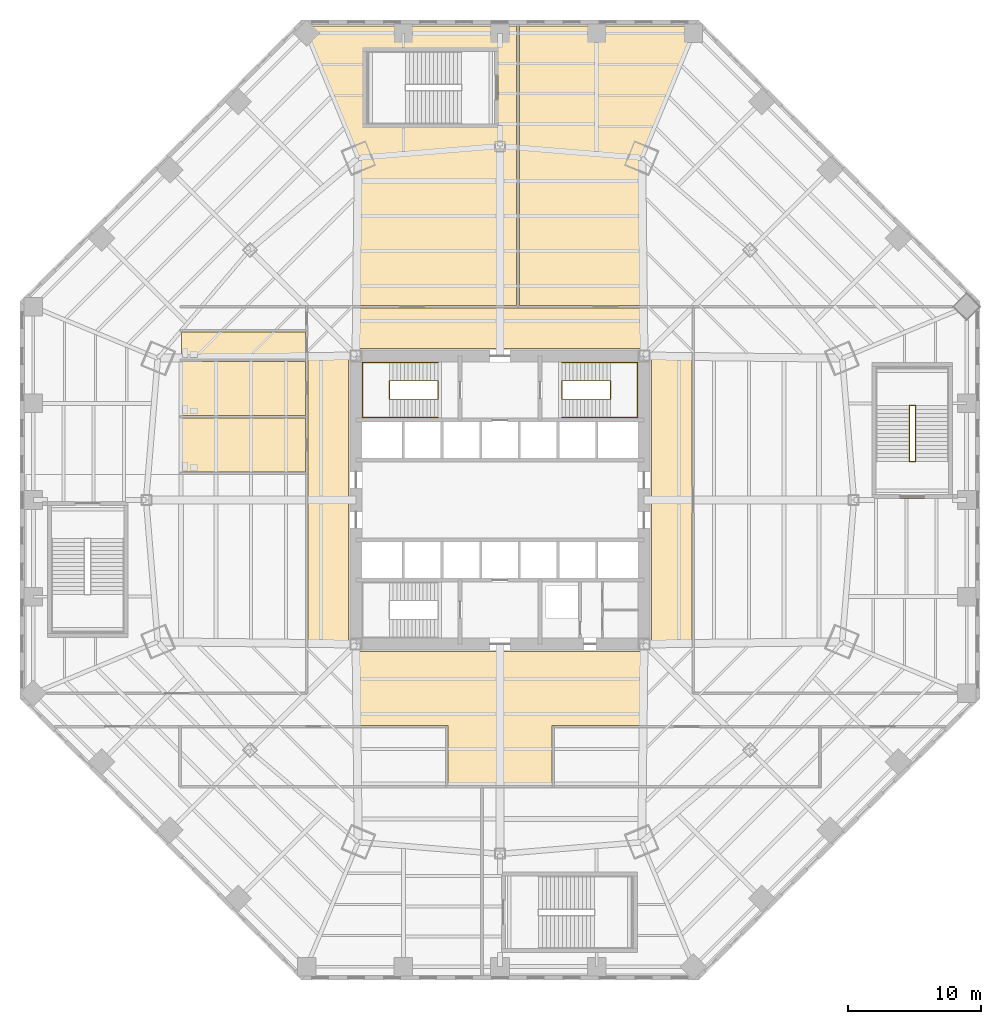
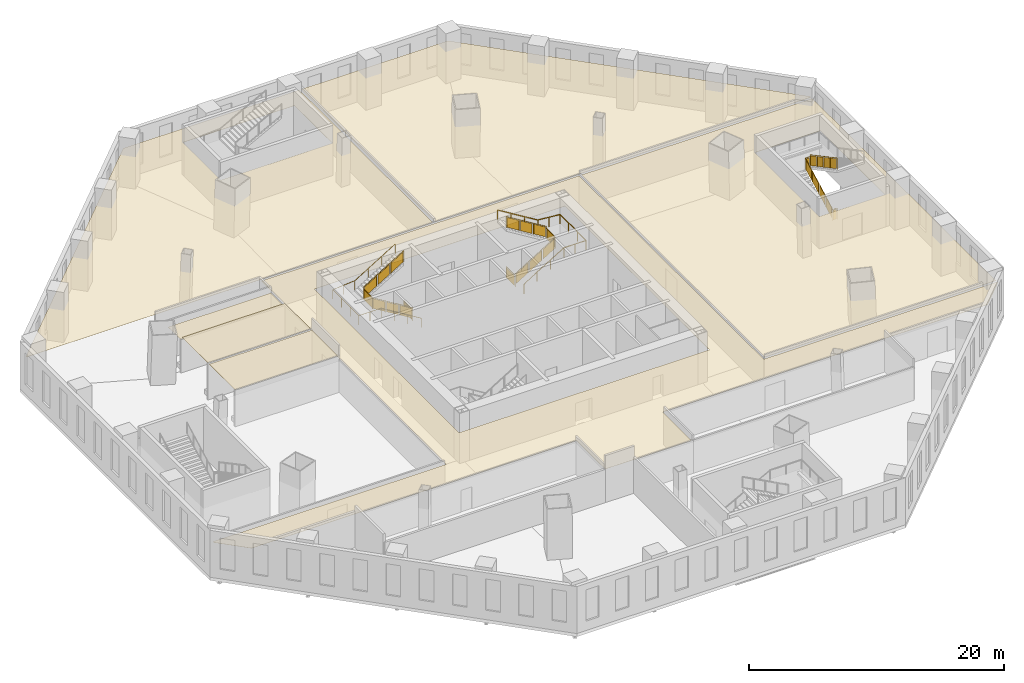
# One storey, part 17 of 19: 7 coverings, 5 railings.
"""IFC4 building model written with IfcOpenShell, lengths in metres."""

from ifc_helpers import new_model, si_unit, direction, frame, origin, origin_2d, place, context, subcontext, project, spatial, polyline, circle, outline, extrude, material, layer, layer_set, type_object, element, save


model = new_model("IFC4")

# Units and contexts
model_context = context("Model", 3, precision=1e-05, world=origin(), true_north=direction((0.0, 1.0)))
body_context = subcontext(model_context, "Body", "Model", "MODEL_VIEW")
ifc_project = project(units=[si_unit("LENGTHUNIT", "METRE"), si_unit("AREAUNIT", "SQUARE_METRE"), si_unit("VOLUMEUNIT", "CUBIC_METRE"), si_unit("PLANEANGLEUNIT", "RADIAN"), si_unit("MASSUNIT", "GRAM", prefix="KILO")], contexts=[model_context])

# Site, building, storey
site_placement = place(None, origin())
site = spatial("IfcSite", under=ifc_project, at=site_placement, CompositionType="ELEMENT")
building_placement = place(site_placement, origin())
building = spatial("IfcBuilding", under=site, at=building_placement, Name="Mashrafa Tower", CompositionType="ELEMENT")
storey_placement = place(building_placement, frame((0.0, 0.0, 24.0)))
storey = spatial("IfcBuildingStorey", under=building, at=storey_placement, Name="L04", CompositionType="ELEMENT", Elevation=24.0)

# Railings
ifc_material_1 = material(Name="Steel guard with glass infill", Category="steel")
railing_type_1 = type_object("IfcRailingType", Name="Stair guard 1100", PredefinedType="GUARDRAIL", material=ifc_material_1)
railing_1_placement = place(storey_placement, frame((-4.64990234375, 8.949951171875, 0.0)))
element("IfcRailing", 1, at=railing_1_placement, inside=storey, type_object=railing_type_1, Name="Stair S1 guard L04", PredefinedType="GUARDRAIL", context=body_context, shape_type="SweptSolid", body=[
    extrude(circle(Radius=0.02392578125, at=origin_2d()), frame((0.0, 0.0, 1.076171875), z_axis=(0.0, -1.0, 0.0), x_axis=(1.0, 0.0, 0.0)), (0.0, 0.0, 1.0), 1.39990234375),
    extrude(circle(Radius=0.02392578125, at=origin_2d()), frame((0.0, -1.39990234375, 1.076171875), z_axis=(0.0, 0.0, 1.0), x_axis=(1.0, 0.0, 0.0)), (0.0, 0.0, 1.0), 0.17138671875),
    extrude(circle(Radius=0.02392578125, at=origin_2d()), frame((0.0, -1.39990234375, 1.24755859375), z_axis=(-0.852865859571, 0.0, 0.52213008492), x_axis=(0.0, -1.0, 0.0)), (0.0, 0.0, 1.0), 4.26806640625),
    extrude(circle(Radius=0.02392578125, at=origin_2d()), frame((-3.64013671875, -1.39990234375, 3.47607421875), z_axis=(0.0, 1.0, 0.0), x_axis=(-1.0, 0.0, 0.0)), (0.0, 0.0, 1.0), 1.39990234375),
    extrude(circle(Radius=0.02392578125, at=origin_2d()), frame((-3.64013671875, 0.0, 3.47607421875), z_axis=(0.0, 0.0, 1.0), x_axis=(1.0, 0.0, 0.0)), (0.0, 0.0, 1.0), 0.17138671875),
    extrude(circle(Radius=0.02392578125, at=origin_2d()), frame((-3.64013671875, 0.0, 3.6474609375), z_axis=(0.852840387347, 0.0, 0.522171689878), x_axis=(0.0, 1.0, 0.0)), (0.0, 0.0, 1.0), 4.268310546875),
    extrude(circle(Radius=0.02099609375, at=origin_2d()), origin(), (0.0, 0.0, 1.0), 1.052001953125),
    extrude(circle(Radius=0.02099609375, at=origin_2d()), frame((0.0, -1.39990234375, 0.0)), (0.0, 0.0, 1.0), 1.052001953125),
    extrude(circle(Radius=0.02099609375, at=origin_2d()), frame((0.0, -1.39990234375, 0.17138671875)), (0.0, 0.0, 1.0), 1.052001953125),
    extrude(circle(Radius=0.02099609375, at=origin_2d()), frame((-1.21337890625, -1.39990234375, 0.914306640625)), (0.0, 0.0, 1.0), 1.052001953125),
    extrude(circle(Radius=0.02099609375, at=origin_2d()), frame((-2.4267578125, -1.39990234375, 1.656982421875)), (0.0, 0.0, 1.0), 1.052001953125),
    extrude(circle(Radius=0.02099609375, at=origin_2d()), frame((-3.64013671875, -1.39990234375, 2.39990234375)), (0.0, 0.0, 1.0), 1.052001953125),
    extrude(circle(Radius=0.02099609375, at=origin_2d()), frame((-3.64013671875, 0.0, 2.39990234375)), (0.0, 0.0, 1.0), 1.052001953125),
    extrude(circle(Radius=0.02099609375, at=origin_2d()), frame((-3.64013671875, 0.0, 2.5712890625)), (0.0, 0.0, 1.0), 1.052001953125),
    extrude(circle(Radius=0.02099609375, at=origin_2d()), frame((-2.4267578125, 0.0, 3.314208984375)), (0.0, 0.0, 1.0), 1.052001953125),
    extrude(circle(Radius=0.02099609375, at=origin_2d()), frame((-1.21337890625, 0.0, 4.05712890625)), (0.0, 0.0, 1.0), 1.052001953125),
    extrude(circle(Radius=0.02099609375, at=origin_2d()), frame((0.0, 0.0, 4.800048828125)), (0.0, 0.0, 1.0), 1.052001953125),
    extrude(outline(polyline([(0.071044921875, 0.050048828125), (1.328857421875, 0.050048828125), (1.328857421875, 1.001953125), (0.071044921875, 1.001953125), (0.071044921875, 0.050048828125)])), frame((-0.006103515625, 0.0, 0.0), z_axis=(-1.0, 0.0, 0.0), x_axis=(0.0, -1.0, 0.0)), (0.0, 0.0, 1.0), 0.011962890625),
    extrude(outline(polyline([(0.071044921875, 0.093505859375), (1.142333984375, 0.749267578125), (1.142333984375, 1.701416015625), (0.071044921875, 1.04541015625), (0.071044921875, 0.093505859375)])), frame((0.0, -1.393798828125, 0.17138671875), z_axis=(0.0, 1.0, 0.0), x_axis=(-1.0, 0.0, 0.0)), (0.0, 0.0, 1.0), 0.011962890625),
    extrude(outline(polyline([(1.284423828125, 0.836181640625), (2.355712890625, 1.4921875), (2.355712890625, 2.4443359375), (1.284423828125, 1.788330078125), (1.284423828125, 0.836181640625)])), frame((0.0, -1.393798828125, 0.17138671875), z_axis=(0.0, 1.0, 0.0), x_axis=(-1.0, 0.0, 0.0)), (0.0, 0.0, 1.0), 0.011962890625),
    extrude(outline(polyline([(2.497802734375, 1.5791015625), (3.569091796875, 2.235107421875), (3.569091796875, 3.18701171875), (2.497802734375, 2.53125), (2.497802734375, 1.5791015625)])), frame((0.0, -1.393798828125, 0.17138671875), z_axis=(0.0, 1.0, 0.0), x_axis=(-1.0, 0.0, 0.0)), (0.0, 0.0, 1.0), 0.011962890625),
    extrude(outline(polyline([(0.071044921875, 0.050048828125), (1.328857421875, 0.050048828125), (1.328857421875, 1.001953125), (0.071044921875, 1.001953125), (0.071044921875, 0.050048828125)])), frame((-3.634033203125, -1.39990234375, 2.39990234375), z_axis=(1.0, 0.0, 0.0), x_axis=(0.0, 1.0, 0.0)), (0.0, 0.0, 1.0), 0.011962890625),
    extrude(outline(polyline([(0.071044921875, 0.093505859375), (1.142333984375, 0.74951171875), (1.142333984375, 1.701416015625), (0.071044921875, 1.04541015625), (0.071044921875, 0.093505859375)])), frame((-3.64013671875, -0.006103515625, 2.5712890625), z_axis=(0.0, -1.0, 0.0), x_axis=(1.0, 0.0, 0.0)), (0.0, 0.0, 1.0), 0.011962890625),
    extrude(outline(polyline([(1.284423828125, 0.83642578125), (2.355712890625, 1.492431640625), (2.355712890625, 2.4443359375), (1.284423828125, 1.788330078125), (1.284423828125, 0.83642578125)])), frame((-3.64013671875, -0.006103515625, 2.5712890625), z_axis=(0.0, -1.0, 0.0), x_axis=(1.0, 0.0, 0.0)), (0.0, 0.0, 1.0), 0.011962890625),
    extrude(outline(polyline([(2.497802734375, 1.579345703125), (3.569091796875, 2.2353515625), (3.569091796875, 3.187255859375), (2.497802734375, 2.53125), (2.497802734375, 1.579345703125)])), frame((-3.64013671875, -0.006103515625, 2.5712890625), z_axis=(0.0, -1.0, 0.0), x_axis=(1.0, 0.0, 0.0)), (0.0, 0.0, 1.0), 0.011962890625),
])
railing_2_placement = place(storey_placement, frame((4.64990234375, 8.949951171875, 0.0)))
element("IfcRailing", 2, at=railing_2_placement, inside=storey, type_object=railing_type_1, Name="Stair S2 guard L04", PredefinedType="GUARDRAIL", context=body_context, shape_type="SweptSolid", body=[
    extrude(circle(Radius=0.02392578125, at=origin_2d()), frame((0.0, 0.0, 1.076171875), z_axis=(0.0, -1.0, 0.0), x_axis=(1.0, 0.0, 0.0)), (0.0, 0.0, 1.0), 1.39990234375),
    extrude(circle(Radius=0.02392578125, at=origin_2d()), frame((0.0, -1.39990234375, 1.076171875), z_axis=(0.0, 0.0, 1.0), x_axis=(1.0, 0.0, 0.0)), (0.0, 0.0, 1.0), 0.17138671875),
    extrude(circle(Radius=0.02392578125, at=origin_2d()), frame((0.0, -1.39990234375, 1.24755859375), z_axis=(0.852865859571, 0.0, 0.52213008492), x_axis=(0.0, 1.0, 0.0)), (0.0, 0.0, 1.0), 4.26806640625),
    extrude(circle(Radius=0.02392578125, at=origin_2d()), frame((3.64013671875, -1.39990234375, 3.47607421875), z_axis=(0.0, 1.0, 0.0), x_axis=(-1.0, 0.0, 0.0)), (0.0, 0.0, 1.0), 1.39990234375),
    extrude(circle(Radius=0.02392578125, at=origin_2d()), frame((3.64013671875, 0.0, 3.47607421875), z_axis=(0.0, 0.0, 1.0), x_axis=(1.0, 0.0, 0.0)), (0.0, 0.0, 1.0), 0.17138671875),
    extrude(circle(Radius=0.02392578125, at=origin_2d()), frame((3.64013671875, 0.0, 3.6474609375), z_axis=(-0.852840387347, 0.0, 0.522171689878), x_axis=(0.0, -1.0, 0.0)), (0.0, 0.0, 1.0), 4.268310546875),
    extrude(circle(Radius=0.02099609375, at=origin_2d()), origin(), (0.0, 0.0, 1.0), 1.052001953125),
    extrude(circle(Radius=0.02099609375, at=origin_2d()), frame((0.0, -1.39990234375, 0.0)), (0.0, 0.0, 1.0), 1.052001953125),
    extrude(circle(Radius=0.02099609375, at=origin_2d()), frame((0.0, -1.39990234375, 0.17138671875)), (0.0, 0.0, 1.0), 1.052001953125),
    extrude(circle(Radius=0.02099609375, at=origin_2d()), frame((1.21337890625, -1.39990234375, 0.914306640625)), (0.0, 0.0, 1.0), 1.052001953125),
    extrude(circle(Radius=0.02099609375, at=origin_2d()), frame((2.4267578125, -1.39990234375, 1.656982421875)), (0.0, 0.0, 1.0), 1.052001953125),
    extrude(circle(Radius=0.02099609375, at=origin_2d()), frame((3.64013671875, -1.39990234375, 2.39990234375)), (0.0, 0.0, 1.0), 1.052001953125),
    extrude(circle(Radius=0.02099609375, at=origin_2d()), frame((3.64013671875, 0.0, 2.39990234375)), (0.0, 0.0, 1.0), 1.052001953125),
    extrude(circle(Radius=0.02099609375, at=origin_2d()), frame((3.64013671875, 0.0, 2.5712890625)), (0.0, 0.0, 1.0), 1.052001953125),
    extrude(circle(Radius=0.02099609375, at=origin_2d()), frame((2.4267578125, 0.0, 3.314208984375)), (0.0, 0.0, 1.0), 1.052001953125),
    extrude(circle(Radius=0.02099609375, at=origin_2d()), frame((1.21337890625, 0.0, 4.05712890625)), (0.0, 0.0, 1.0), 1.052001953125),
    extrude(circle(Radius=0.02099609375, at=origin_2d()), frame((0.0, 0.0, 4.800048828125)), (0.0, 0.0, 1.0), 1.052001953125),
    extrude(outline(polyline([(0.071044921875, 0.050048828125), (1.328857421875, 0.050048828125), (1.328857421875, 1.001953125), (0.071044921875, 1.001953125), (0.071044921875, 0.050048828125)])), frame((-0.006103515625, 0.0, 0.0), z_axis=(-1.0, 0.0, 0.0), x_axis=(0.0, -1.0, 0.0)), (0.0, 0.0, 1.0), 0.011962890625),
    extrude(outline(polyline([(0.071044921875, 0.093505859375), (1.142333984375, 0.749267578125), (1.142333984375, 1.701416015625), (0.071044921875, 1.04541015625), (0.071044921875, 0.093505859375)])), frame((0.0, -1.406005859375, 0.17138671875), z_axis=(0.0, -1.0, 0.0), x_axis=(1.0, 0.0, 0.0)), (0.0, 0.0, 1.0), 0.011962890625),
    extrude(outline(polyline([(1.284423828125, 0.836181640625), (2.355712890625, 1.4921875), (2.355712890625, 2.4443359375), (1.284423828125, 1.788330078125), (1.284423828125, 0.836181640625)])), frame((0.0, -1.406005859375, 0.17138671875), z_axis=(0.0, -1.0, 0.0), x_axis=(1.0, 0.0, 0.0)), (0.0, 0.0, 1.0), 0.011962890625),
    extrude(outline(polyline([(2.497802734375, 1.5791015625), (3.569091796875, 2.235107421875), (3.569091796875, 3.18701171875), (2.497802734375, 2.53125), (2.497802734375, 1.5791015625)])), frame((0.0, -1.406005859375, 0.17138671875), z_axis=(0.0, -1.0, 0.0), x_axis=(1.0, 0.0, 0.0)), (0.0, 0.0, 1.0), 0.011962890625),
    extrude(outline(polyline([(0.071044921875, 0.050048828125), (1.328857421875, 0.050048828125), (1.328857421875, 1.001953125), (0.071044921875, 1.001953125), (0.071044921875, 0.050048828125)])), frame((3.646240234375, -1.39990234375, 2.39990234375), z_axis=(1.0, 0.0, 0.0), x_axis=(0.0, 1.0, 0.0)), (0.0, 0.0, 1.0), 0.011962890625),
    extrude(outline(polyline([(0.071044921875, 0.093505859375), (1.142333984375, 0.74951171875), (1.142333984375, 1.701416015625), (0.071044921875, 1.04541015625), (0.071044921875, 0.093505859375)])), frame((3.64013671875, 0.006103515625, 2.5712890625), z_axis=(0.0, 1.0, 0.0), x_axis=(-1.0, 0.0, 0.0)), (0.0, 0.0, 1.0), 0.011962890625),
    extrude(outline(polyline([(1.284423828125, 0.83642578125), (2.355712890625, 1.492431640625), (2.355712890625, 2.4443359375), (1.284423828125, 1.788330078125), (1.284423828125, 0.83642578125)])), frame((3.64013671875, 0.006103515625, 2.5712890625), z_axis=(0.0, 1.0, 0.0), x_axis=(-1.0, 0.0, 0.0)), (0.0, 0.0, 1.0), 0.011962890625),
    extrude(outline(polyline([(2.497802734375, 1.579345703125), (3.569091796875, 2.2353515625), (3.569091796875, 3.187255859375), (2.497802734375, 2.53125), (2.497802734375, 1.579345703125)])), frame((3.64013671875, 0.006103515625, 2.5712890625), z_axis=(0.0, 1.0, 0.0), x_axis=(-1.0, 0.0, 0.0)), (0.0, 0.0, 1.0), 0.011962890625),
])
railing_3_placement = place(storey_placement, frame((31.14990234375, 2.89990234375, 0.0)))
element("IfcRailing", 3, at=railing_3_placement, inside=storey, type_object=railing_type_1, Name="Stair P1 guard L04", PredefinedType="GUARDRAIL", context=body_context, shape_type="SweptSolid", body=[
    extrude(circle(Radius=0.02392578125, at=origin_2d()), frame((0.0, 0.0, 1.076171875), z_axis=(-1.0, 0.0, 0.0), x_axis=(0.0, -1.0, 0.0)), (0.0, 0.0, 1.0), 0.449951171875),
    extrude(circle(Radius=0.02392578125, at=origin_2d()), frame((-0.449951171875, 0.0, 1.076171875), z_axis=(0.0, 0.0, 1.0), x_axis=(1.0, 0.0, 0.0)), (0.0, 0.0, 1.0), 0.159912109375),
    extrude(circle(Radius=0.02392578125, at=origin_2d()), frame((-0.449951171875, 0.0, 1.23583984375), z_axis=(0.0, 0.882362879185, 0.470569601054), x_axis=(-1.0, 0.0, 0.0)), (0.0, 0.0, 1.0), 4.76025390625),
    extrude(circle(Radius=0.02392578125, at=origin_2d()), frame((-0.449951171875, 4.2001953125, 3.47607421875), z_axis=(1.0, 0.0, 0.0), x_axis=(0.0, 1.0, 0.0)), (0.0, 0.0, 1.0), 0.449951171875),
    extrude(circle(Radius=0.02392578125, at=origin_2d()), frame((0.0, 4.2001953125, 3.47607421875), z_axis=(0.0, 0.0, 1.0), x_axis=(1.0, 0.0, 0.0)), (0.0, 0.0, 1.0), 0.16015625),
    extrude(circle(Radius=0.02392578125, at=origin_2d()), frame((0.0, 4.2001953125, 3.63623046875), z_axis=(0.0, -0.882362879185, 0.470569601054), x_axis=(1.0, 0.0, 0.0)), (0.0, 0.0, 1.0), 4.76025390625),
    extrude(circle(Radius=0.02099609375, at=origin_2d()), origin(), (0.0, 0.0, 1.0), 1.052001953125),
    extrude(circle(Radius=0.02099609375, at=origin_2d()), frame((-0.449951171875, 0.0, 0.0)), (0.0, 0.0, 1.0), 1.052001953125),
    extrude(circle(Radius=0.02099609375, at=origin_2d()), frame((-0.449951171875, 0.0, 0.159912109375)), (0.0, 0.0, 1.0), 1.052001953125),
    extrude(circle(Radius=0.02099609375, at=origin_2d()), frame((-0.449951171875, 1.050048828125, 0.719970703125)), (0.0, 0.0, 1.0), 1.052001953125),
    extrude(circle(Radius=0.02099609375, at=origin_2d()), frame((-0.449951171875, 2.10009765625, 1.27978515625)), (0.0, 0.0, 1.0), 1.052001953125),
    extrude(circle(Radius=0.02099609375, at=origin_2d()), frame((-0.449951171875, 3.150146484375, 1.83984375)), (0.0, 0.0, 1.0), 1.052001953125),
    extrude(circle(Radius=0.02099609375, at=origin_2d()), frame((-0.449951171875, 4.2001953125, 2.39990234375)), (0.0, 0.0, 1.0), 1.052001953125),
    extrude(circle(Radius=0.02099609375, at=origin_2d()), frame((0.0, 4.2001953125, 2.39990234375)), (0.0, 0.0, 1.0), 1.052001953125),
    extrude(circle(Radius=0.02099609375, at=origin_2d()), frame((0.0, 4.2001953125, 2.56005859375)), (0.0, 0.0, 1.0), 1.052001953125),
    extrude(circle(Radius=0.02099609375, at=origin_2d()), frame((0.0, 3.150146484375, 3.1201171875)), (0.0, 0.0, 1.0), 1.052001953125),
    extrude(circle(Radius=0.02099609375, at=origin_2d()), frame((0.0, 2.10009765625, 3.68017578125)), (0.0, 0.0, 1.0), 1.052001953125),
    extrude(circle(Radius=0.02099609375, at=origin_2d()), frame((0.0, 1.050048828125, 4.239990234375)), (0.0, 0.0, 1.0), 1.052001953125),
    extrude(circle(Radius=0.02099609375, at=origin_2d()), frame((0.0, 0.0, 4.800048828125)), (0.0, 0.0, 1.0), 1.052001953125),
    extrude(outline(polyline([(0.071044921875, 0.050048828125), (0.37890625, 0.050048828125), (0.37890625, 1.001953125), (0.071044921875, 1.001953125), (0.071044921875, 0.050048828125)])), frame((0.0, 0.006103515625, 0.0), z_axis=(0.0, 1.0, 0.0), x_axis=(-1.0, 0.0, 0.0)), (0.0, 0.0, 1.0), 0.011962890625),
    extrude(outline(polyline([(0.071044921875, 0.087890625), (0.97900390625, 0.572021484375), (0.97900390625, 1.524169921875), (0.071044921875, 1.039794921875), (0.071044921875, 0.087890625)])), frame((-0.44384765625, 0.0, 0.159912109375), z_axis=(1.0, 0.0, 0.0), x_axis=(0.0, 1.0, 0.0)), (0.0, 0.0, 1.0), 0.011962890625),
    extrude(outline(polyline([(1.12109375, 0.64794921875), (2.029052734375, 1.132080078125), (2.029052734375, 2.084228515625), (1.12109375, 1.599853515625), (1.12109375, 0.64794921875)])), frame((-0.44384765625, 0.0, 0.159912109375), z_axis=(1.0, 0.0, 0.0), x_axis=(0.0, 1.0, 0.0)), (0.0, 0.0, 1.0), 0.011962890625),
    extrude(outline(polyline([(2.171142578125, 1.207763671875), (3.0791015625, 1.692138671875), (3.0791015625, 2.64404296875), (2.171142578125, 2.159912109375), (2.171142578125, 1.207763671875)])), frame((-0.44384765625, 0.0, 0.159912109375), z_axis=(1.0, 0.0, 0.0), x_axis=(0.0, 1.0, 0.0)), (0.0, 0.0, 1.0), 0.011962890625),
    extrude(outline(polyline([(3.22119140625, 1.767822265625), (4.129150390625, 2.252197265625), (4.129150390625, 3.2041015625), (3.22119140625, 2.719970703125), (3.22119140625, 1.767822265625)])), frame((-0.44384765625, 0.0, 0.159912109375), z_axis=(1.0, 0.0, 0.0), x_axis=(0.0, 1.0, 0.0)), (0.0, 0.0, 1.0), 0.011962890625),
    extrude(outline(polyline([(0.071044921875, 0.050048828125), (0.37890625, 0.050048828125), (0.37890625, 1.001953125), (0.071044921875, 1.001953125), (0.071044921875, 0.050048828125)])), frame((-0.449951171875, 4.194091796875, 2.39990234375), z_axis=(0.0, -1.0, 0.0), x_axis=(1.0, 0.0, 0.0)), (0.0, 0.0, 1.0), 0.011962890625),
    extrude(outline(polyline([(0.071044921875, 0.087890625), (0.97900390625, 0.572021484375), (0.97900390625, 1.524169921875), (0.071044921875, 1.039794921875), (0.071044921875, 0.087890625)])), frame((-0.006103515625, 4.2001953125, 2.56005859375), z_axis=(-1.0, 0.0, 0.0), x_axis=(0.0, -1.0, 0.0)), (0.0, 0.0, 1.0), 0.011962890625),
    extrude(outline(polyline([(1.12109375, 0.64794921875), (2.029052734375, 1.132080078125), (2.029052734375, 2.084228515625), (1.12109375, 1.599853515625), (1.12109375, 0.64794921875)])), frame((-0.006103515625, 4.2001953125, 2.56005859375), z_axis=(-1.0, 0.0, 0.0), x_axis=(0.0, -1.0, 0.0)), (0.0, 0.0, 1.0), 0.011962890625),
    extrude(outline(polyline([(2.171142578125, 1.207763671875), (3.0791015625, 1.692138671875), (3.0791015625, 2.64404296875), (2.171142578125, 2.159912109375), (2.171142578125, 1.207763671875)])), frame((-0.006103515625, 4.2001953125, 2.56005859375), z_axis=(-1.0, 0.0, 0.0), x_axis=(0.0, -1.0, 0.0)), (0.0, 0.0, 1.0), 0.011962890625),
    extrude(outline(polyline([(3.22119140625, 1.767822265625), (4.129150390625, 2.252197265625), (4.129150390625, 3.2041015625), (3.22119140625, 2.719970703125), (3.22119140625, 1.767822265625)])), frame((-0.006103515625, 4.2001953125, 2.56005859375), z_axis=(-1.0, 0.0, 0.0), x_axis=(0.0, -1.0, 0.0)), (0.0, 0.0, 1.0), 0.011962890625),
])
ifc_material_2 = material(Name="Steel", Category="steel")
railing_type_2 = type_object("IfcRailingType", Name="Stair handrail 900", PredefinedType="HANDRAIL", material=ifc_material_2)
railing_4_placement = place(storey_placement, frame((-4.64990234375, 6.199951171875, 0.17138671875)))
element("IfcRailing", 4, at=railing_4_placement, inside=storey, type_object=railing_type_2, Name="Stair S1 handrail L04", PredefinedType="HANDRAIL", context=body_context, shape_type="SweptSolid", body=[
    extrude(circle(Radius=0.02392578125, at=origin_2d()), frame((0.0, 0.0, 0.8759765625), z_axis=(-0.852865859571, 0.0, 0.52213008492), x_axis=(0.0, -1.0, 0.0)), (0.0, 0.0, 1.0), 4.26806640625),
    extrude(circle(Radius=0.02392578125, at=origin_2d()), frame((-3.64013671875, 0.0, 3.1044921875), z_axis=(-1.0, 0.0, 0.0), x_axis=(0.0, -1.0, 0.0)), (0.0, 0.0, 1.0), 2.010009765625),
    extrude(circle(Radius=0.02392578125, at=origin_2d()), frame((-5.650146484375, 0.0, 3.1044921875), z_axis=(0.0, 1.0, 0.0), x_axis=(-1.0, 0.0, 0.0)), (0.0, 0.0, 1.0), 4.10009765625),
    extrude(circle(Radius=0.02392578125, at=origin_2d()), frame((-5.650146484375, 4.10009765625, 3.1044921875), z_axis=(0.996384505265, 0.0, 0.084958329005), x_axis=(0.0, 1.0, 0.0)), (0.0, 0.0, 1.0), 2.017333984375),
    extrude(circle(Radius=0.02392578125, at=origin_2d()), frame((-3.64013671875, 4.10009765625, 3.27587890625), z_axis=(0.852840387347, 0.0, 0.522171689878), x_axis=(0.0, 1.0, 0.0)), (0.0, 0.0, 1.0), 4.268310546875),
    extrude(circle(Radius=0.02099609375, at=origin_2d()), origin(), (0.0, 0.0, 1.0), 0.851806640625),
    extrude(circle(Radius=0.02099609375, at=origin_2d()), frame((-1.21337890625, 0.0, 0.742919921875)), (0.0, 0.0, 1.0), 0.851806640625),
    extrude(circle(Radius=0.02099609375, at=origin_2d()), frame((-2.4267578125, 0.0, 1.485595703125)), (0.0, 0.0, 1.0), 0.851806640625),
    extrude(circle(Radius=0.02099609375, at=origin_2d()), frame((-3.64013671875, 0.0, 2.228515625)), (0.0, 0.0, 1.0), 0.851806640625),
    extrude(circle(Radius=0.02099609375, at=origin_2d()), frame((-4.64501953125, 0.0, 2.228515625)), (0.0, 0.0, 1.0), 0.851806640625),
    extrude(circle(Radius=0.02099609375, at=origin_2d()), frame((-5.650146484375, 0.0, 2.228515625)), (0.0, 0.0, 1.0), 0.851806640625),
    extrude(circle(Radius=0.02099609375, at=origin_2d()), frame((-5.650146484375, 1.36669921875, 2.228515625)), (0.0, 0.0, 1.0), 0.851806640625),
    extrude(circle(Radius=0.02099609375, at=origin_2d()), frame((-5.650146484375, 2.7333984375, 2.228515625)), (0.0, 0.0, 1.0), 0.851806640625),
    extrude(circle(Radius=0.02099609375, at=origin_2d()), frame((-5.650146484375, 4.10009765625, 2.228515625)), (0.0, 0.0, 1.0), 0.851806640625),
    extrude(circle(Radius=0.02099609375, at=origin_2d()), frame((-4.64501953125, 4.10009765625, 2.314208984375)), (0.0, 0.0, 1.0), 0.851806640625),
    extrude(circle(Radius=0.02099609375, at=origin_2d()), frame((-3.64013671875, 4.10009765625, 2.39990234375)), (0.0, 0.0, 1.0), 0.851806640625),
    extrude(circle(Radius=0.02099609375, at=origin_2d()), frame((-2.4267578125, 4.10009765625, 3.142822265625)), (0.0, 0.0, 1.0), 0.851806640625),
    extrude(circle(Radius=0.02099609375, at=origin_2d()), frame((-1.21337890625, 4.10009765625, 3.8857421875)), (0.0, 0.0, 1.0), 0.851806640625),
    extrude(circle(Radius=0.02099609375, at=origin_2d()), frame((0.0, 4.10009765625, 4.628662109375)), (0.0, 0.0, 1.0), 0.851806640625),
])
railing_5_placement = place(storey_placement, frame((4.64990234375, 6.199951171875, 0.17138671875)))
element("IfcRailing", 5, at=railing_5_placement, inside=storey, type_object=railing_type_2, Name="Stair S2 handrail L04", PredefinedType="HANDRAIL", context=body_context, shape_type="SweptSolid", body=[
    extrude(circle(Radius=0.02392578125, at=origin_2d()), frame((0.0, 0.0, 0.8759765625), z_axis=(0.852865859571, 0.0, 0.52213008492), x_axis=(0.0, 1.0, 0.0)), (0.0, 0.0, 1.0), 4.26806640625),
    extrude(circle(Radius=0.02392578125, at=origin_2d()), frame((3.64013671875, 0.0, 3.1044921875), z_axis=(1.0, 0.0, 0.0), x_axis=(0.0, 1.0, 0.0)), (0.0, 0.0, 1.0), 2.010009765625),
    extrude(circle(Radius=0.02392578125, at=origin_2d()), frame((5.650146484375, 0.0, 3.1044921875), z_axis=(0.0, 1.0, 0.0), x_axis=(-1.0, 0.0, 0.0)), (0.0, 0.0, 1.0), 4.10009765625),
    extrude(circle(Radius=0.02392578125, at=origin_2d()), frame((5.650146484375, 4.10009765625, 3.1044921875), z_axis=(-0.996384505265, 0.0, 0.084958329005), x_axis=(0.0, -1.0, 0.0)), (0.0, 0.0, 1.0), 2.017333984375),
    extrude(circle(Radius=0.02392578125, at=origin_2d()), frame((3.64013671875, 4.10009765625, 3.27587890625), z_axis=(-0.852840387347, 0.0, 0.522171689878), x_axis=(0.0, -1.0, 0.0)), (0.0, 0.0, 1.0), 4.268310546875),
    extrude(circle(Radius=0.02099609375, at=origin_2d()), origin(), (0.0, 0.0, 1.0), 0.851806640625),
    extrude(circle(Radius=0.02099609375, at=origin_2d()), frame((1.21337890625, 0.0, 0.742919921875)), (0.0, 0.0, 1.0), 0.851806640625),
    extrude(circle(Radius=0.02099609375, at=origin_2d()), frame((2.4267578125, 0.0, 1.485595703125)), (0.0, 0.0, 1.0), 0.851806640625),
    extrude(circle(Radius=0.02099609375, at=origin_2d()), frame((3.64013671875, 0.0, 2.228515625)), (0.0, 0.0, 1.0), 0.851806640625),
    extrude(circle(Radius=0.02099609375, at=origin_2d()), frame((4.64501953125, 0.0, 2.228515625)), (0.0, 0.0, 1.0), 0.851806640625),
    extrude(circle(Radius=0.02099609375, at=origin_2d()), frame((5.650146484375, 0.0, 2.228515625)), (0.0, 0.0, 1.0), 0.851806640625),
    extrude(circle(Radius=0.02099609375, at=origin_2d()), frame((5.650146484375, 1.36669921875, 2.228515625)), (0.0, 0.0, 1.0), 0.851806640625),
    extrude(circle(Radius=0.02099609375, at=origin_2d()), frame((5.650146484375, 2.7333984375, 2.228515625)), (0.0, 0.0, 1.0), 0.851806640625),
    extrude(circle(Radius=0.02099609375, at=origin_2d()), frame((5.650146484375, 4.10009765625, 2.228515625)), (0.0, 0.0, 1.0), 0.851806640625),
    extrude(circle(Radius=0.02099609375, at=origin_2d()), frame((4.64501953125, 4.10009765625, 2.314208984375)), (0.0, 0.0, 1.0), 0.851806640625),
    extrude(circle(Radius=0.02099609375, at=origin_2d()), frame((3.64013671875, 4.10009765625, 2.39990234375)), (0.0, 0.0, 1.0), 0.851806640625),
    extrude(circle(Radius=0.02099609375, at=origin_2d()), frame((2.4267578125, 4.10009765625, 3.142822265625)), (0.0, 0.0, 1.0), 0.851806640625),
    extrude(circle(Radius=0.02099609375, at=origin_2d()), frame((1.21337890625, 4.10009765625, 3.8857421875)), (0.0, 0.0, 1.0), 0.851806640625),
    extrude(circle(Radius=0.02099609375, at=origin_2d()), frame((0.0, 4.10009765625, 4.628662109375)), (0.0, 0.0, 1.0), 0.851806640625),
])

# Coverings
ifc_material_3 = material(Name="Mineral fibre tile on suspension grid")
ifc_layer = layer(ifc_material_3, 0.014892578125)
ifc_layer_set = layer_set([ifc_layer], Name="Suspended ceiling mineral tile 15")
covering_type = type_object("IfcCoveringType", Name="Suspended ceiling mineral tile 15", PredefinedType="CEILING", material=ifc_layer_set)
covering_1_placement = place(storey_placement, frame((0.0, 0.0, 3.39990234375)))
element("IfcCovering", 6, at=covering_1_placement, inside=storey, type_object=covering_type, Name="Ceiling WC Female L04", PredefinedType="CEILING", context=body_context, shape_type="SweptSolid", body=[
    extrude(outline(polyline([(-23.89990234375, 2.10009765625), (-23.89990234375, 6.14990234375), (-14.60009765625, 6.14990234375), (-14.60009765625, 2.10009765625), (-23.89990234375, 2.10009765625)])), origin(), (0.0, 0.0, 1.0), 0.01513671875),
])
covering_2_placement = place(storey_placement, frame((0.0, 0.0, 3.39990234375)))
element("IfcCovering", 7, at=covering_2_placement, inside=storey, type_object=covering_type, Name="Ceiling WC Male L04", PredefinedType="CEILING", context=body_context, shape_type="SweptSolid", body=[
    extrude(outline(polyline([(-23.89990234375, 6.35009765625), (-23.89990234375, 10.39990234375), (-14.60009765625, 10.39990234375), (-14.60009765625, 6.35009765625), (-23.89990234375, 6.35009765625)])), origin(), (0.0, 0.0, 1.0), 0.01513671875),
])
covering_3_placement = place(storey_placement, frame((0.0, 0.0, 3.050048828125)))
element("IfcCovering", 8, at=covering_3_placement, inside=storey, type_object=covering_type, Name="Ceiling Accessible WC L04", PredefinedType="CEILING", context=body_context, shape_type="SweptSolid", body=[
    extrude(outline(polyline([(-23.89990234375, 10.60009765625), (-23.89990234375, 12.60009765625), (-14.60009765625, 12.60009765625), (-14.60009765625, 10.60009765625), (-23.89990234375, 10.60009765625)])), origin(), (0.0, 0.0, 1.0), 0.014892578125),
])
covering_4_placement = place(storey_placement, frame((0.0, 0.0, 3.050048828125)))
element("IfcCovering", 9, at=covering_4_placement, inside=storey, type_object=covering_type, Name="Ceiling Civic Office 401", PredefinedType="CEILING", context=body_context, shape_type="SweptSolid", body=[
    extrude(outline(polyline([(1.25, 35.550048828125), (1.25, 14.60009765625), (-35.550048828125, 14.60009765625), (-35.550048828125, 14.725341796875), (-14.725341796875, 35.550048828125), (1.25, 35.550048828125)]), holes=[polyline([(-10.25, 33.89990234375), (-10.25, 27.949951171875), (-0.14990234375, 27.949951171875), (-0.14990234375, 33.89990234375), (-10.25, 33.89990234375)])]), origin(), (0.0, 0.0, 1.0), 0.014892578125),
])
covering_5_placement = place(storey_placement, frame((0.0, 0.0, 3.050048828125)))
element("IfcCovering", 10, at=covering_5_placement, inside=storey, type_object=covering_type, Name="Ceiling Civic Office 402", PredefinedType="CEILING", context=body_context, shape_type="SweptSolid", body=[
    extrude(outline(polyline([(1.449951171875, 14.60009765625), (1.449951171875, 35.550048828125), (14.725341796875, 35.550048828125), (35.550048828125, 14.725341796875), (35.550048828125, 14.60009765625), (1.449951171875, 14.60009765625)])), origin(), (0.0, 0.0, 1.0), 0.014892578125),
])
covering_6_placement = place(storey_placement, frame((0.0, 0.0, 3.050048828125)))
element("IfcCovering", 11, at=covering_6_placement, inside=storey, type_object=covering_type, Name="Ceiling Civic Office 403", PredefinedType="CEILING", context=body_context, shape_type="SweptSolid", body=[
    extrude(outline(polyline([(14.60009765625, -14.39990234375), (14.60009765625, 14.39990234375), (35.550048828125, 14.39990234375), (35.550048828125, -14.39990234375), (14.60009765625, -14.39990234375)]), holes=[polyline([(33.89990234375, 10.25), (27.949951171875, 10.25), (27.949951171875, 0.14990234375), (33.89990234375, 0.14990234375), (33.89990234375, 10.25)])]), origin(), (0.0, 0.0, 1.0), 0.014892578125),
])
covering_7_placement = place(storey_placement, frame((0.0, 0.0, 3.050048828125)))
element("IfcCovering", 12, at=covering_7_placement, inside=storey, type_object=covering_type, Name="Ceiling Civic Office Corridor L04", PredefinedType="CEILING", context=body_context, shape_type="SweptSolid", body=[
    extrude(outline(polyline([(-3.89990234375, -21.39990234375), (-3.89990234375, -16.89990234375), (-33.375244140625, -16.89990234375), (-35.550048828125, -14.725341796875), (-35.550048828125, -14.60009765625), (-14.39990234375, -14.60009765625), (-14.39990234375, 14.39990234375), (14.39990234375, 14.39990234375), (14.39990234375, -14.60009765625), (35.550048828125, -14.60009765625), (35.550048828125, -14.725341796875), (33.375244140625, -16.89990234375), (3.89990234375, -16.89990234375), (3.89990234375, -21.39990234375), (-3.89990234375, -21.39990234375)]), holes=[polyline([(-11.35009765625, -11.35009765625), (11.35009765625, -11.35009765625), (11.35009765625, 11.35009765625), (-11.35009765625, 11.35009765625), (-11.35009765625, -11.35009765625)])]), origin(), (0.0, 0.0, 1.0), 0.014892578125),
])

save(model, "model.ifc")
